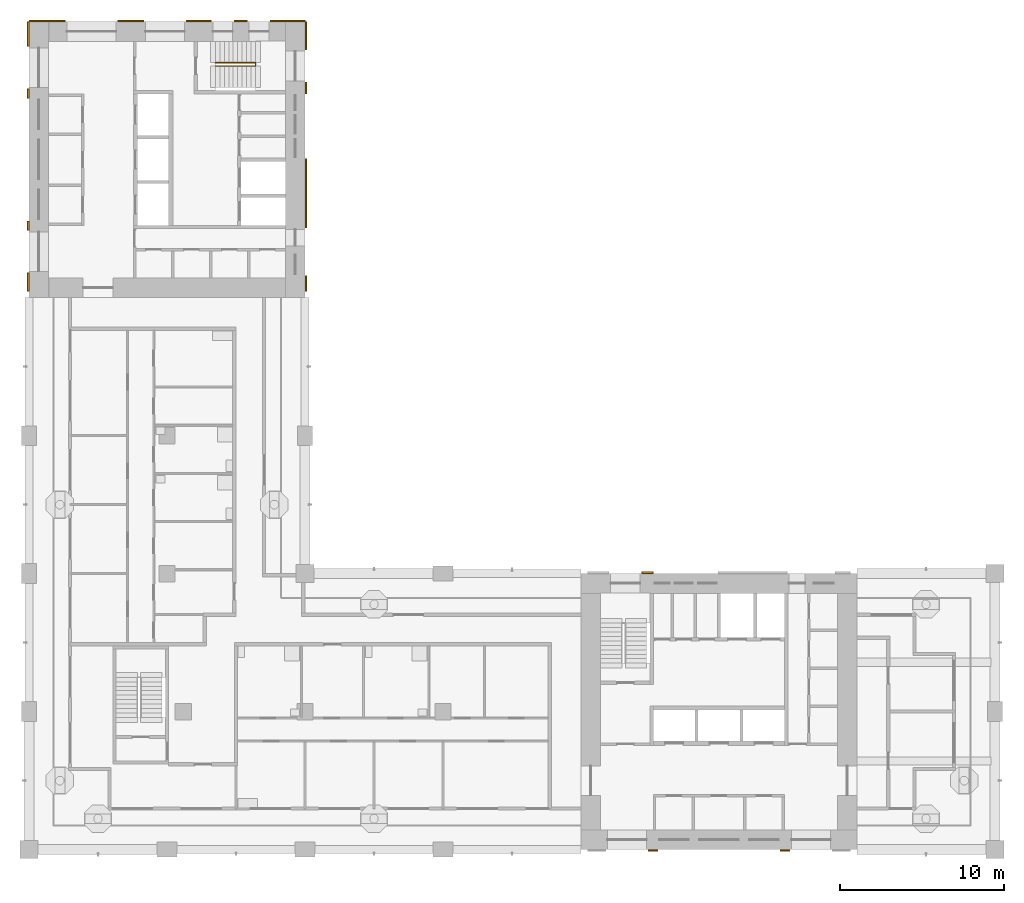
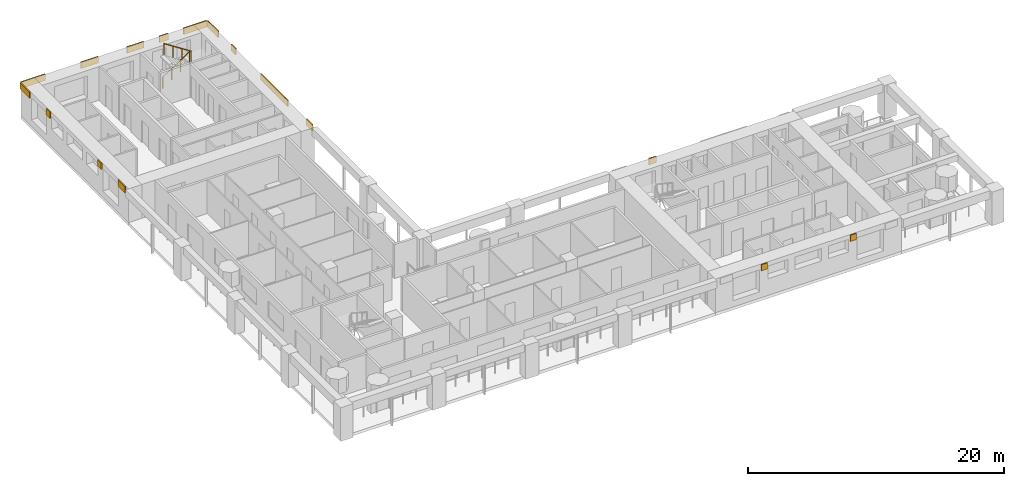
# One storey, part 10 of 13: 16 shading devices, 1 railing.
"""IFC4 building model written with IfcOpenShell, lengths in metres."""

from ifc_helpers import new_model, si_unit, direction, frame, origin, origin_2d, place, context, subcontext, project, spatial, rectangle, circle, extrude, material, layer, layer_set, type_object, element, save


model = new_model("IFC4")

# Units and contexts
model_context = context("Model", 3, precision=1e-05, world=origin(), true_north=direction((0.0, 1.0)))
body_context = subcontext(model_context, "Body", "Model", "MODEL_VIEW")
ifc_project = project(units=[si_unit("LENGTHUNIT", "METRE"), si_unit("AREAUNIT", "SQUARE_METRE"), si_unit("VOLUMEUNIT", "CUBIC_METRE"), si_unit("PLANEANGLEUNIT", "RADIAN"), si_unit("MASSUNIT", "GRAM", prefix="KILO")], contexts=[model_context])

# Site, building, storey
site_placement = place(None, origin())
site = spatial("IfcSite", under=ifc_project, at=site_placement, CompositionType="ELEMENT")
building_placement = place(site_placement, origin())
building = spatial("IfcBuilding", under=site, at=building_placement, Name="Vermilion Gate Residences", CompositionType="ELEMENT")
storey_placement = place(building_placement, frame((0.0, 0.0, 158.199951171875)))
storey = spatial("IfcBuildingStorey", under=building, at=storey_placement, Name="L40", CompositionType="ELEMENT", Elevation=158.199951171875)

# Railing
ifc_material_1 = material(Name="Steel S355", Category="steel")
railing_type = type_object("IfcRailingType", Name="STAIR GUARD 1100 STEEL", PredefinedType="GUARDRAIL", material=ifc_material_1)
railing_placement = place(storey_placement, frame((19.75, 56.300048828125, 0.175048828125)))
element("IfcRailing", 1, at=railing_placement, inside=storey, type_object=railing_type, Name="Stair well guard STB1-40", PredefinedType="GUARDRAIL", context=body_context, shape_type="SweptSolid", body=[
    extrude(circle(Radius=0.02392578125, at=origin_2d()), frame((0.0, 0.0, 1.076171875), z_axis=(0.839153699163, 0.0, 0.543894354798), x_axis=(0.0, 1.0, 0.0)), (0.0, 0.0, 1.0), 2.895751953125),
    extrude(circle(Radius=0.02392578125, at=origin_2d()), frame((2.429931640625, 0.0, 2.65087890625), z_axis=(0.0, -0.752405939678, 0.658699705433), x_axis=(1.0, 0.0, 0.0)), (0.0, 0.0, 1.0), 0.265869140625),
    extrude(circle(Radius=0.02392578125, at=origin_2d()), frame((2.429931640625, -0.199951171875, 2.826171875), z_axis=(-0.839153699163, 0.0, 0.543894354798), x_axis=(0.0, -1.0, 0.0)), (0.0, 0.0, 1.0), 2.895751953125),
    extrude(circle(Radius=0.02099609375, at=origin_2d()), origin(), (0.0, 0.0, 1.0), 1.052001953125),
    extrude(circle(Radius=0.02099609375, at=origin_2d()), frame((0.81005859375, 0.0, 0.52490234375)), (0.0, 0.0, 1.0), 1.052001953125),
    extrude(circle(Radius=0.02099609375, at=origin_2d()), frame((1.619873046875, 0.0, 1.050048828125)), (0.0, 0.0, 1.0), 1.052001953125),
    extrude(circle(Radius=0.02099609375, at=origin_2d()), frame((2.429931640625, 0.0, 1.574951171875)), (0.0, 0.0, 1.0), 1.052001953125),
    extrude(circle(Radius=0.02099609375, at=origin_2d()), frame((2.429931640625, -0.199951171875, 1.75)), (0.0, 0.0, 1.0), 1.052001953125),
    extrude(circle(Radius=0.02099609375, at=origin_2d()), frame((1.619873046875, -0.199951171875, 2.27490234375)), (0.0, 0.0, 1.0), 1.052001953125),
    extrude(circle(Radius=0.02099609375, at=origin_2d()), frame((0.81005859375, -0.199951171875, 2.800048828125)), (0.0, 0.0, 1.0), 1.052001953125),
    extrude(circle(Radius=0.02099609375, at=origin_2d()), frame((0.0, -0.199951171875, 3.324951171875)), (0.0, 0.0, 1.0), 1.052001953125),
])

# Shading devices
ifc_material_2 = material(Name="Extruded terracotta", Category="masonry")
ifc_layer = layer(ifc_material_2, 0.10009765625)
ifc_layer_set = layer_set([ifc_layer], Name="TERRACOTTA SPANDREL BAND 600 X 100")
shading_device_type = type_object("IfcShadingDeviceType", Name="TERRACOTTA SPANDREL BAND 600 X 100", PredefinedType="USERDEFINED", material=ifc_layer_set)
for number, where, z_axis, x_axis, name in (
    (2, (46.3798828125, 8.35009765625, 2.6201171875), (0.0, 0.0, 1.0), (1.0, 0.0, 0.0), "SPANDREL BAND"),
    (3, (54.419921875, 8.35009765625, 2.6201171875), (0.0, 0.0, 1.0), (1.0, 0.0, 0.0), "SPANDREL BAND"),
):
    element("IfcShadingDevice", number, at=place(storey_placement, frame(where, z_axis=z_axis, x_axis=x_axis)), inside=storey, type_object=shading_device_type, Name=name, ObjectType="BAND", PredefinedType="USERDEFINED", context=body_context, shape_type="SweptSolid", body=[
        extrude(rectangle(XDim=0.56005859375, YDim=0.10009765625, at=origin_2d()), origin(), (0.0, 0.0, 1.0), 0.60009765625),
    ])
shading_device_1_placement = place(storey_placement, frame((46.044921875, 25.25, 2.6201171875), z_axis=(0.0, 0.0, 1.0), x_axis=(1.0, 0.0, 0.0)))
element("IfcShadingDevice", 4, at=shading_device_1_placement, inside=storey, type_object=shading_device_type, Name="SPANDREL BAND", ObjectType="BAND", PredefinedType="USERDEFINED", context=body_context, shape_type="SweptSolid", body=[
    extrude(rectangle(XDim=0.68994140625, YDim=0.10009765625, at=origin_2d()), origin(), (0.0, 0.0, 1.0), 0.60009765625),
])
shading_device_2_placement = place(storey_placement, frame((9.50244140625, 58.85009765625, 2.6201171875), z_axis=(0.0, 0.0, 1.0), x_axis=(1.0, 0.0, 0.0)))
element("IfcShadingDevice", 5, at=shading_device_2_placement, inside=storey, type_object=shading_device_type, Name="SPANDREL BAND", ObjectType="BAND", PredefinedType="USERDEFINED", context=body_context, shape_type="SweptSolid", body=[
    extrude(rectangle(XDim=2.205078125, YDim=0.10009765625, at=origin_2d()), origin(), (0.0, 0.0, 1.0), 0.60009765625),
])
shading_device_3_placement = place(storey_placement, frame((14.590087890625, 58.85009765625, 2.6201171875), z_axis=(0.0, 0.0, 1.0), x_axis=(1.0, 0.0, 0.0)))
element("IfcShadingDevice", 6, at=shading_device_3_placement, inside=storey, type_object=shading_device_type, Name="SPANDREL BAND", ObjectType="BAND", PredefinedType="USERDEFINED", context=body_context, shape_type="SweptSolid", body=[
    extrude(rectangle(XDim=1.570068359375, YDim=0.10009765625, at=origin_2d()), origin(), (0.0, 0.0, 1.0), 0.60009765625),
])
shading_device_4_placement = place(storey_placement, frame((18.734130859375, 58.85009765625, 2.6201171875), z_axis=(0.0, 0.0, 1.0), x_axis=(1.0, 0.0, 0.0)))
element("IfcShadingDevice", 7, at=shading_device_4_placement, inside=storey, type_object=shading_device_type, Name="SPANDREL BAND", ObjectType="BAND", PredefinedType="USERDEFINED", context=body_context, shape_type="SweptSolid", body=[
    extrude(rectangle(XDim=1.518310546875, YDim=0.10009765625, at=origin_2d()), origin(), (0.0, 0.0, 1.0), 0.60009765625),
])
shading_device_5_placement = place(storey_placement, frame((21.294921875, 58.85009765625, 2.6201171875), z_axis=(0.0, 0.0, 1.0), x_axis=(1.0, 0.0, 0.0)))
element("IfcShadingDevice", 8, at=shading_device_5_placement, inside=storey, type_object=shading_device_type, Name="SPANDREL BAND", ObjectType="BAND", PredefinedType="USERDEFINED", context=body_context, shape_type="SweptSolid", body=[
    extrude(rectangle(XDim=0.803466796875, YDim=0.10009765625, at=origin_2d()), origin(), (0.0, 0.0, 1.0), 0.60009765625),
])
shading_device_6_placement = place(storey_placement, frame((24.1484375, 58.85009765625, 2.6201171875), z_axis=(0.0, 0.0, 1.0), x_axis=(1.0, 0.0, 0.0)))
element("IfcShadingDevice", 9, at=shading_device_6_placement, inside=storey, type_object=shading_device_type, Name="SPANDREL BAND", ObjectType="BAND", PredefinedType="USERDEFINED", context=body_context, shape_type="SweptSolid", body=[
    extrude(rectangle(XDim=2.103271484375, YDim=0.10009765625, at=origin_2d()), origin(), (0.0, 0.0, 1.0), 0.60009765625),
])
shading_device_7_placement = place(storey_placement, frame((8.35009765625, 42.949951171875, 2.6201171875), z_axis=(0.0, 0.0, 1.0), x_axis=(0.0, 1.0, 0.0)))
element("IfcShadingDevice", 10, at=shading_device_7_placement, inside=storey, type_object=shading_device_type, Name="SPANDREL BAND", ObjectType="BAND", PredefinedType="USERDEFINED", context=body_context, shape_type="SweptSolid", body=[
    extrude(rectangle(XDim=1.10009765625, YDim=0.10009765625, at=origin_2d()), origin(), (0.0, 0.0, 1.0), 0.60009765625),
])
for number, where, z_axis, x_axis, name in (
    (11, (8.35009765625, 46.3798828125, 2.6201171875), (0.0, 0.0, 1.0), (0.0, 1.0, 0.0), "SPANDREL BAND"),
    (12, (8.35009765625, 54.419921875, 2.6201171875), (0.0, 0.0, 1.0), (0.0, 1.0, 0.0), "SPANDREL BAND"),
):
    element("IfcShadingDevice", number, at=place(storey_placement, frame(where, z_axis=z_axis, x_axis=x_axis)), inside=storey, type_object=shading_device_type, Name=name, ObjectType="BAND", PredefinedType="USERDEFINED", context=body_context, shape_type="SweptSolid", body=[
        extrude(rectangle(XDim=0.56005859375, YDim=0.10009765625, at=origin_2d()), origin(), (0.0, 0.0, 1.0), 0.60009765625),
    ])
shading_device_8_placement = place(storey_placement, frame((8.35009765625, 58.050048828125, 2.6201171875), z_axis=(0.0, 0.0, 1.0), x_axis=(0.0, 1.0, 0.0)))
element("IfcShadingDevice", 13, at=shading_device_8_placement, inside=storey, type_object=shading_device_type, Name="SPANDREL BAND", ObjectType="BAND", PredefinedType="USERDEFINED", context=body_context, shape_type="SweptSolid", body=[
    extrude(rectangle(XDim=1.5, YDim=0.10009765625, at=origin_2d()), origin(), (0.0, 0.0, 1.0), 0.60009765625),
])
shading_device_9_placement = place(storey_placement, frame((25.25, 42.862548828125, 2.6201171875), z_axis=(0.0, 0.0, 1.0), x_axis=(0.0, 1.0, 0.0)))
element("IfcShadingDevice", 14, at=shading_device_9_placement, inside=storey, type_object=shading_device_type, Name="SPANDREL BAND", ObjectType="BAND", PredefinedType="USERDEFINED", context=body_context, shape_type="SweptSolid", body=[
    extrude(rectangle(XDim=0.925048828125, YDim=0.10009765625, at=origin_2d()), origin(), (0.0, 0.0, 1.0), 0.60009765625),
])
shading_device_10_placement = place(storey_placement, frame((25.25, 48.35009765625, 2.6201171875), z_axis=(0.0, 0.0, 1.0), x_axis=(0.0, 1.0, 0.0)))
element("IfcShadingDevice", 15, at=shading_device_10_placement, inside=storey, type_object=shading_device_type, Name="SPANDREL BAND", ObjectType="BAND", PredefinedType="USERDEFINED", context=body_context, shape_type="SweptSolid", body=[
    extrude(rectangle(XDim=4.199951171875, YDim=0.10009765625, at=origin_2d()), origin(), (0.0, 0.0, 1.0), 0.60009765625),
])
shading_device_11_placement = place(storey_placement, frame((25.25, 54.7548828125, 2.6201171875), z_axis=(0.0, 0.0, 1.0), x_axis=(0.0, 1.0, 0.0)))
element("IfcShadingDevice", 16, at=shading_device_11_placement, inside=storey, type_object=shading_device_type, Name="SPANDREL BAND", ObjectType="BAND", PredefinedType="USERDEFINED", context=body_context, shape_type="SweptSolid", body=[
    extrude(rectangle(XDim=0.68994140625, YDim=0.10009765625, at=origin_2d()), origin(), (0.0, 0.0, 1.0), 0.60009765625),
])
shading_device_12_placement = place(storey_placement, frame((25.25, 57.949951171875, 2.6201171875), z_axis=(0.0, 0.0, 1.0), x_axis=(0.0, 1.0, 0.0)))
element("IfcShadingDevice", 17, at=shading_device_12_placement, inside=storey, type_object=shading_device_type, Name="SPANDREL BAND", ObjectType="BAND", PredefinedType="USERDEFINED", context=body_context, shape_type="SweptSolid", body=[
    extrude(rectangle(XDim=1.699951171875, YDim=0.10009765625, at=origin_2d()), origin(), (0.0, 0.0, 1.0), 0.60009765625),
])

save(model, "model.ifc")
